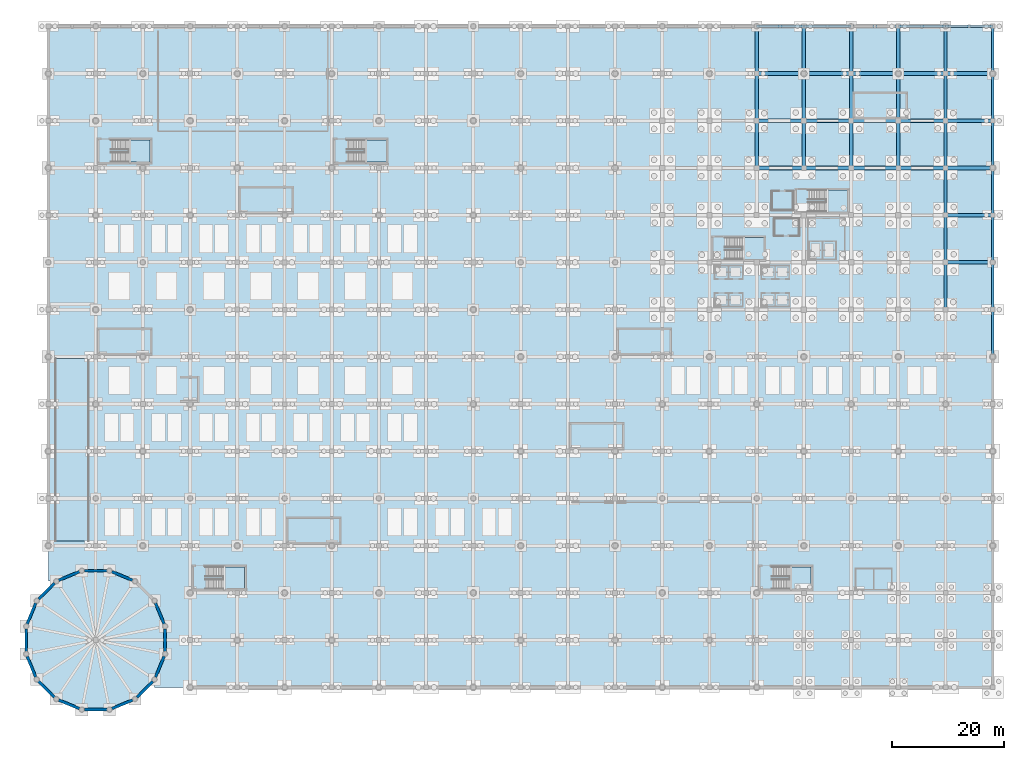
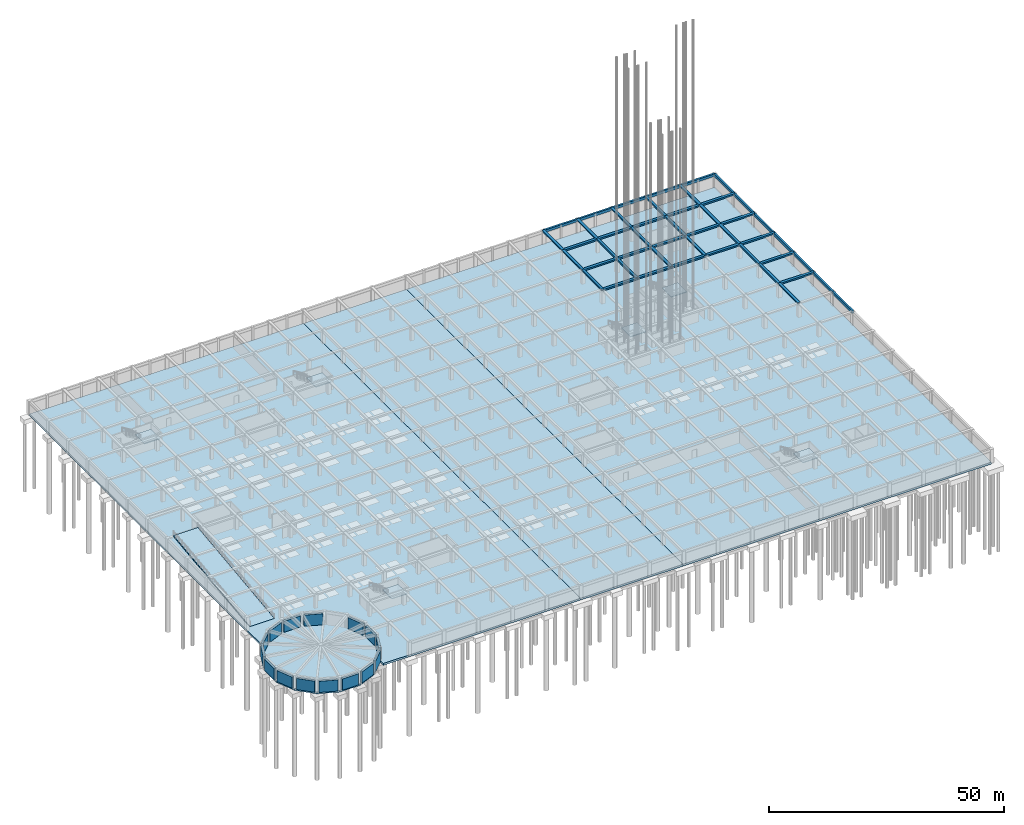
# One storey, part 17 of 47: 47 beams, 15 walls, 10 slabs, 6 elements without a shape of their own.
"""IFC4 building model written with IfcOpenShell, lengths in metres."""

from ifc_helpers import new_model, si_unit, direction, frame, frame_2d, origin, origin_2d, place, context, subcontext, project, spatial, polyline, rectangle, outline, extrude, material, layer, layer_set, material_profile, profile_set, type_object, element, aggregate, save


model = new_model("IFC4")

# Units and contexts
model_context = context("Model", 3, precision=1e-05, world=origin(), true_north=direction((0.0, 1.0)))
body_context = subcontext(model_context, "Body", "Model", "MODEL_VIEW")
ifc_project = project(units=[si_unit("LENGTHUNIT", "METRE"), si_unit("AREAUNIT", "SQUARE_METRE"), si_unit("VOLUMEUNIT", "CUBIC_METRE"), si_unit("PLANEANGLEUNIT", "RADIAN"), si_unit("MASSUNIT", "GRAM", prefix="KILO")], contexts=[model_context])

# Site, building, storey
site_placement = place(None, origin())
site = spatial("IfcSite", under=ifc_project, at=site_placement, CompositionType="ELEMENT")
building_placement = place(site_placement, origin())
building = spatial("IfcBuilding", under=site, at=building_placement, Name="Almacenes y Pasaje Nevantli", CompositionType="ELEMENT")
storey_placement = place(building_placement, frame((0.0, 0.0, -8.10009765625)))
storey = spatial("IfcBuildingStorey", under=building, at=storey_placement, Name="B02", CompositionType="ELEMENT", Elevation=-8.10009765625)

# Beams
ifc_material_1 = material(Name="Concrete C35/45", Category="concrete")
ifc_material_profile_1 = material_profile(ifc_material_1, rectangle(XDim=0.449951171875, YDim=0.64990234375, at=origin_2d()), Name="RC-BM-450x650")
ifc_profile_set_1 = profile_set([ifc_material_profile_1], Name="Concrete C35/45")
beam_type_1 = type_object("IfcBeamType", Name="BM-RC-450x650", PredefinedType="SPANDREL", material=ifc_profile_set_1)
for number, where, z_axis, x_axis, name in (
    (1, (126.0, 117.60009765625, 3.275146484375), (1.0, 0.0, 0.0), (0.0, 1.0, 0.0), "B02 East-West Reinforced Concrete Beam #287"),
    (2, (142.800048828125, 117.60009765625, 3.275146484375), (1.0, 0.0, 0.0), (0.0, 1.0, 0.0), "B02 East-West Reinforced Concrete Beam #289"),
    (3, (159.60009765625, 117.60009765625, 3.275146484375), (1.0, 0.0, 0.0), (0.0, 1.0, 0.0), "B02 East-West Reinforced Concrete Beam #291"),
):
    element("IfcBeam", number, at=place(storey_placement, frame(where, z_axis=z_axis, x_axis=x_axis)), inside=storey, type_object=beam_type_1, Name=name, PredefinedType="SPANDREL", context=body_context, shape_type="SweptSolid", body=[
        extrude(rectangle(XDim=0.449951171875, YDim=0.64990234375, at=origin_2d()), origin(), (0.0, 0.0, 1.0), 8.39990234375),
    ])
ifc_material_2 = material(Name="Concrete C35/45", Category="concrete")
ifc_material_profile_2 = material_profile(ifc_material_2, rectangle(XDim=0.449951171875, YDim=0.699951171875, at=origin_2d()), Name="RC-BM-450x700")
ifc_profile_set_2 = profile_set([ifc_material_profile_2], Name="Concrete C35/45")
beam_type_2 = type_object("IfcBeamType", Name="BM-RC-450x700", PredefinedType="SPANDREL", material=ifc_profile_set_2)
for number, where, z_axis, x_axis, name in (
    (4, (134.39990234375, 117.60009765625, 3.25), (1.0, 0.0, 0.0), (0.0, 1.0, 0.0), "B02 East-West Reinforced Concrete Beam #288"),
    (5, (151.199951171875, 117.60009765625, 3.25), (1.0, 0.0, 0.0), (0.0, 1.0, 0.0), "B02 East-West Reinforced Concrete Beam #290"),
):
    element("IfcBeam", number, at=place(storey_placement, frame(where, z_axis=z_axis, x_axis=x_axis)), inside=storey, type_object=beam_type_2, Name=name, PredefinedType="SPANDREL", context=body_context, shape_type="SweptSolid", body=[
        extrude(rectangle(XDim=0.449951171875, YDim=0.699951171875, at=origin_2d()), origin(), (0.0, 0.0, 1.0), 8.400146484375),
    ])
beam_1_placement = place(storey_placement, frame((168.0, 58.800048828125, 3.25), z_axis=(0.0, 1.0, 0.0), x_axis=(-1.0, 0.0, 0.0)))
element("IfcBeam", 6, at=beam_1_placement, inside=storey, type_object=beam_type_2, Name="B02 North-South Reinforced Concrete Beam #564", PredefinedType="SPANDREL", context=body_context, shape_type="SweptSolid", body=[
    extrude(rectangle(XDim=0.449951171875, YDim=0.699951171875, at=origin_2d()), origin(), (0.0, 0.0, 1.0), 8.39990234375),
])
beam_2_placement = place(storey_placement, frame((168.0, 67.199951171875, 3.25), z_axis=(0.0, 1.0, 0.0), x_axis=(-1.0, 0.0, 0.0)))
element("IfcBeam", 7, at=beam_2_placement, inside=storey, type_object=beam_type_2, Name="B02 North-South Reinforced Concrete Beam #565", PredefinedType="SPANDREL", context=body_context, shape_type="SweptSolid", body=[
    extrude(rectangle(XDim=0.449951171875, YDim=0.699951171875, at=origin_2d()), origin(), (0.0, 0.0, 1.0), 8.400146484375),
])
for number, where, z_axis, x_axis, name in (
    (8, (168.0, 75.60009765625, 3.25), (0.0, 1.0, 0.0), (-1.0, 0.0, 0.0), "B02 North-South Reinforced Concrete Beam #566"),
    (9, (168.0, 84.0, 3.25), (0.0, 1.0, 0.0), (-1.0, 0.0, 0.0), "B02 North-South Reinforced Concrete Beam #567"),
):
    element("IfcBeam", number, at=place(storey_placement, frame(where, z_axis=z_axis, x_axis=x_axis)), inside=storey, type_object=beam_type_2, Name=name, PredefinedType="SPANDREL", context=body_context, shape_type="SweptSolid", body=[
        extrude(rectangle(XDim=0.449951171875, YDim=0.699951171875, at=origin_2d()), origin(), (0.0, 0.0, 1.0), 8.39990234375),
    ])
beam_3_placement = place(storey_placement, frame((168.0, 92.39990234375, 3.25), z_axis=(0.0, 1.0, 0.0), x_axis=(-1.0, 0.0, 0.0)))
element("IfcBeam", 10, at=beam_3_placement, inside=storey, type_object=beam_type_2, Name="B02 North-South Reinforced Concrete Beam #568", PredefinedType="SPANDREL", context=body_context, shape_type="SweptSolid", body=[
    extrude(rectangle(XDim=0.449951171875, YDim=0.699951171875, at=origin_2d()), origin(), (0.0, 0.0, 1.0), 8.400146484375),
])
beam_4_placement = place(storey_placement, frame((168.0, 100.800048828125, 3.25), z_axis=(0.0, 1.0, 0.0), x_axis=(-1.0, 0.0, 0.0)))
element("IfcBeam", 11, at=beam_4_placement, inside=storey, type_object=beam_type_2, Name="B02 North-South Reinforced Concrete Beam #569", PredefinedType="SPANDREL", context=body_context, shape_type="SweptSolid", body=[
    extrude(rectangle(XDim=0.449951171875, YDim=0.699951171875, at=origin_2d()), origin(), (0.0, 0.0, 1.0), 8.39990234375),
])
beam_5_placement = place(storey_placement, frame((168.0, 109.199951171875, 3.25), z_axis=(0.0, 1.0, 0.0), x_axis=(-1.0, 0.0, 0.0)))
element("IfcBeam", 12, at=beam_5_placement, inside=storey, type_object=beam_type_2, Name="B02 North-South Reinforced Concrete Beam #570", PredefinedType="SPANDREL", context=body_context, shape_type="SweptSolid", body=[
    extrude(rectangle(XDim=0.449951171875, YDim=0.699951171875, at=origin_2d()), origin(), (0.0, 0.0, 1.0), 8.400146484375),
])
ifc_material_3 = material(Name="Concrete C35/45", Category="concrete")
ifc_material_profile_3 = material_profile(ifc_material_3, rectangle(XDim=0.60009765625, YDim=0.320068359375, at=origin_2d()), Name="RC-BM-600x320")
ifc_profile_set_3 = profile_set([ifc_material_profile_3], Name="Concrete C35/45")
beam_type_3 = type_object("IfcBeamType", Name="BM-RC-600x320", PredefinedType="BEAM", material=ifc_profile_set_3)
beam_6_placement = place(storey_placement, frame((126.0, 100.800048828125, 3.440185546875), z_axis=(0.0, 1.0, 0.0), x_axis=(-1.0, 0.0, 0.0)))
element("IfcBeam", 13, at=beam_6_placement, inside=storey, type_object=beam_type_3, Name="B02 North-South Reinforced Concrete Beam #501", PredefinedType="BEAM", context=body_context, shape_type="SweptSolid", body=[
    extrude(rectangle(XDim=0.60009765625, YDim=0.320068359375, at=origin_2d()), origin(), (0.0, 0.0, 1.0), 8.39990234375),
])
for number, where, z_axis, x_axis, name in (
    (14, (134.39990234375, 92.39990234375, 3.440185546875), (0.0, 1.0, 0.0), (-1.0, 0.0, 0.0), "B02 North-South Reinforced Concrete Beam #512"),
    (15, (134.39990234375, 109.199951171875, 3.440185546875), (0.0, 1.0, 0.0), (-1.0, 0.0, 0.0), "B02 North-South Reinforced Concrete Beam #514"),
):
    element("IfcBeam", number, at=place(storey_placement, frame(where, z_axis=z_axis, x_axis=x_axis)), inside=storey, type_object=beam_type_3, Name=name, PredefinedType="BEAM", context=body_context, shape_type="SweptSolid", body=[
        extrude(rectangle(XDim=0.60009765625, YDim=0.320068359375, at=origin_2d()), origin(), (0.0, 0.0, 1.0), 8.400146484375),
    ])
beam_7_placement = place(storey_placement, frame((142.800048828125, 100.800048828125, 3.440185546875), z_axis=(0.0, 1.0, 0.0), x_axis=(-1.0, 0.0, 0.0)))
element("IfcBeam", 16, at=beam_7_placement, inside=storey, type_object=beam_type_3, Name="B02 North-South Reinforced Concrete Beam #527", PredefinedType="BEAM", context=body_context, shape_type="SweptSolid", body=[
    extrude(rectangle(XDim=0.60009765625, YDim=0.320068359375, at=origin_2d()), origin(), (0.0, 0.0, 1.0), 8.39990234375),
])
for number, where, z_axis, x_axis, name in (
    (17, (151.199951171875, 92.39990234375, 3.440185546875), (0.0, 1.0, 0.0), (-1.0, 0.0, 0.0), "B02 North-South Reinforced Concrete Beam #540"),
    (18, (151.199951171875, 109.199951171875, 3.440185546875), (0.0, 1.0, 0.0), (-1.0, 0.0, 0.0), "B02 North-South Reinforced Concrete Beam #542"),
    (19, (159.60009765625, 67.199951171875, 3.440185546875), (0.0, 1.0, 0.0), (-1.0, 0.0, 0.0), "B02 North-South Reinforced Concrete Beam #551"),
):
    element("IfcBeam", number, at=place(storey_placement, frame(where, z_axis=z_axis, x_axis=x_axis)), inside=storey, type_object=beam_type_3, Name=name, PredefinedType="BEAM", context=body_context, shape_type="SweptSolid", body=[
        extrude(rectangle(XDim=0.60009765625, YDim=0.320068359375, at=origin_2d()), origin(), (0.0, 0.0, 1.0), 8.400146484375),
    ])
for number, where, z_axis, x_axis, name in (
    (20, (159.60009765625, 84.0, 3.440185546875), (0.0, 1.0, 0.0), (-1.0, 0.0, 0.0), "B02 North-South Reinforced Concrete Beam #553"),
    (21, (159.60009765625, 100.800048828125, 3.440185546875), (0.0, 1.0, 0.0), (-1.0, 0.0, 0.0), "B02 North-South Reinforced Concrete Beam #555"),
):
    element("IfcBeam", number, at=place(storey_placement, frame(where, z_axis=z_axis, x_axis=x_axis)), inside=storey, type_object=beam_type_3, Name=name, PredefinedType="BEAM", context=body_context, shape_type="SweptSolid", body=[
        extrude(rectangle(XDim=0.60009765625, YDim=0.320068359375, at=origin_2d()), origin(), (0.0, 0.0, 1.0), 8.39990234375),
    ])
ifc_material_4 = material(Name="Concrete C35/45", Category="concrete")
ifc_material_profile_4 = material_profile(ifc_material_4, rectangle(XDim=0.60009765625, YDim=0.340087890625, at=origin_2d()), Name="RC-BM-600x340")
ifc_profile_set_4 = profile_set([ifc_material_profile_4], Name="Concrete C35/45")
beam_type_4 = type_object("IfcBeamType", Name="BM-RC-600x340", PredefinedType="BEAM", material=ifc_profile_set_4)
for number, where, z_axis, x_axis, name in (
    (22, (126.0, 92.39990234375, 3.43017578125), (0.0, 1.0, 0.0), (-1.0, 0.0, 0.0), "B02 North-South Reinforced Concrete Beam #500"),
    (23, (126.0, 109.199951171875, 3.43017578125), (0.0, 1.0, 0.0), (-1.0, 0.0, 0.0), "B02 North-South Reinforced Concrete Beam #502"),
):
    element("IfcBeam", number, at=place(storey_placement, frame(where, z_axis=z_axis, x_axis=x_axis)), inside=storey, type_object=beam_type_4, Name=name, PredefinedType="BEAM", context=body_context, shape_type="SweptSolid", body=[
        extrude(rectangle(XDim=0.60009765625, YDim=0.340087890625, at=origin_2d()), origin(), (0.0, 0.0, 1.0), 8.400146484375),
    ])
beam_8_placement = place(storey_placement, frame((134.39990234375, 100.800048828125, 3.43017578125), z_axis=(0.0, 1.0, 0.0), x_axis=(-1.0, 0.0, 0.0)))
element("IfcBeam", 24, at=beam_8_placement, inside=storey, type_object=beam_type_4, Name="B02 North-South Reinforced Concrete Beam #513", PredefinedType="BEAM", context=body_context, shape_type="SweptSolid", body=[
    extrude(rectangle(XDim=0.60009765625, YDim=0.340087890625, at=origin_2d()), origin(), (0.0, 0.0, 1.0), 8.39990234375),
])
for number, where, z_axis, x_axis, name in (
    (25, (142.800048828125, 92.39990234375, 3.43017578125), (0.0, 1.0, 0.0), (-1.0, 0.0, 0.0), "B02 North-South Reinforced Concrete Beam #526"),
    (26, (142.800048828125, 109.199951171875, 3.43017578125), (0.0, 1.0, 0.0), (-1.0, 0.0, 0.0), "B02 North-South Reinforced Concrete Beam #528"),
):
    element("IfcBeam", number, at=place(storey_placement, frame(where, z_axis=z_axis, x_axis=x_axis)), inside=storey, type_object=beam_type_4, Name=name, PredefinedType="BEAM", context=body_context, shape_type="SweptSolid", body=[
        extrude(rectangle(XDim=0.60009765625, YDim=0.340087890625, at=origin_2d()), origin(), (0.0, 0.0, 1.0), 8.400146484375),
    ])
for number, where, z_axis, x_axis, name in (
    (27, (151.199951171875, 100.800048828125, 3.43017578125), (0.0, 1.0, 0.0), (-1.0, 0.0, 0.0), "B02 North-South Reinforced Concrete Beam #541"),
    (28, (159.60009765625, 75.60009765625, 3.43017578125), (0.0, 1.0, 0.0), (-1.0, 0.0, 0.0), "B02 North-South Reinforced Concrete Beam #552"),
):
    element("IfcBeam", number, at=place(storey_placement, frame(where, z_axis=z_axis, x_axis=x_axis)), inside=storey, type_object=beam_type_4, Name=name, PredefinedType="BEAM", context=body_context, shape_type="SweptSolid", body=[
        extrude(rectangle(XDim=0.60009765625, YDim=0.340087890625, at=origin_2d()), origin(), (0.0, 0.0, 1.0), 8.39990234375),
    ])
for number, where, z_axis, x_axis, name in (
    (29, (159.60009765625, 92.39990234375, 3.43017578125), (0.0, 1.0, 0.0), (-1.0, 0.0, 0.0), "B02 North-South Reinforced Concrete Beam #554"),
    (30, (159.60009765625, 109.199951171875, 3.43017578125), (0.0, 1.0, 0.0), (-1.0, 0.0, 0.0), "B02 North-South Reinforced Concrete Beam #556"),
):
    element("IfcBeam", number, at=place(storey_placement, frame(where, z_axis=z_axis, x_axis=x_axis)), inside=storey, type_object=beam_type_4, Name=name, PredefinedType="BEAM", context=body_context, shape_type="SweptSolid", body=[
        extrude(rectangle(XDim=0.60009765625, YDim=0.340087890625, at=origin_2d()), origin(), (0.0, 0.0, 1.0), 8.400146484375),
    ])
ifc_material_5 = material(Name="Concrete C35/45", Category="concrete")
ifc_material_profile_5 = material_profile(ifc_material_5, rectangle(XDim=0.64990234375, YDim=0.35009765625, at=origin_2d()), Name="RC-BM-650x350")
ifc_profile_set_5 = profile_set([ifc_material_profile_5], Name="Concrete C35/45")
beam_type_5 = type_object("IfcBeamType", Name="BM-RC-650x350", PredefinedType="BEAM", material=ifc_profile_set_5)
beam_9_placement = place(storey_placement, frame((159.60009765625, 84.0, 3.425048828125), z_axis=(1.0, 0.0, 0.0), x_axis=(0.0, 1.0, 0.0)))
element("IfcBeam", 31, at=beam_9_placement, inside=storey, type_object=beam_type_5, Name="B02 East-West Reinforced Concrete Beam #211", PredefinedType="BEAM", context=body_context, shape_type="SweptSolid", body=[
    extrude(rectangle(XDim=0.64990234375, YDim=0.35009765625, at=origin_2d()), origin(), (0.0, 0.0, 1.0), 8.39990234375),
])
for number, where, z_axis, x_axis, name in (
    (32, (134.39990234375, 92.39990234375, 3.425048828125), (1.0, 0.0, 0.0), (0.0, 1.0, 0.0), "B02 East-West Reinforced Concrete Beam #228"),
    (33, (151.199951171875, 92.39990234375, 3.425048828125), (1.0, 0.0, 0.0), (0.0, 1.0, 0.0), "B02 East-West Reinforced Concrete Beam #230"),
):
    element("IfcBeam", number, at=place(storey_placement, frame(where, z_axis=z_axis, x_axis=x_axis)), inside=storey, type_object=beam_type_5, Name=name, PredefinedType="BEAM", context=body_context, shape_type="SweptSolid", body=[
        extrude(rectangle(XDim=0.64990234375, YDim=0.35009765625, at=origin_2d()), origin(), (0.0, 0.0, 1.0), 8.400146484375),
    ])
for number, where, z_axis, x_axis, name in (
    (34, (126.0, 100.800048828125, 3.425048828125), (1.0, 0.0, 0.0), (0.0, 1.0, 0.0), "B02 East-West Reinforced Concrete Beam #247"),
    (35, (142.800048828125, 100.800048828125, 3.425048828125), (1.0, 0.0, 0.0), (0.0, 1.0, 0.0), "B02 East-West Reinforced Concrete Beam #249"),
    (36, (159.60009765625, 100.800048828125, 3.425048828125), (1.0, 0.0, 0.0), (0.0, 1.0, 0.0), "B02 East-West Reinforced Concrete Beam #251"),
):
    element("IfcBeam", number, at=place(storey_placement, frame(where, z_axis=z_axis, x_axis=x_axis)), inside=storey, type_object=beam_type_5, Name=name, PredefinedType="BEAM", context=body_context, shape_type="SweptSolid", body=[
        extrude(rectangle(XDim=0.64990234375, YDim=0.35009765625, at=origin_2d()), origin(), (0.0, 0.0, 1.0), 8.39990234375),
    ])
for number, where, z_axis, x_axis, name in (
    (37, (134.39990234375, 109.199951171875, 3.425048828125), (1.0, 0.0, 0.0), (0.0, 1.0, 0.0), "B02 East-West Reinforced Concrete Beam #268"),
    (38, (151.199951171875, 109.199951171875, 3.425048828125), (1.0, 0.0, 0.0), (0.0, 1.0, 0.0), "B02 East-West Reinforced Concrete Beam #270"),
):
    element("IfcBeam", number, at=place(storey_placement, frame(where, z_axis=z_axis, x_axis=x_axis)), inside=storey, type_object=beam_type_5, Name=name, PredefinedType="BEAM", context=body_context, shape_type="SweptSolid", body=[
        extrude(rectangle(XDim=0.64990234375, YDim=0.35009765625, at=origin_2d()), origin(), (0.0, 0.0, 1.0), 8.400146484375),
    ])
ifc_material_6 = material(Name="Concrete C35/45", Category="concrete")
ifc_material_profile_6 = material_profile(ifc_material_6, rectangle(XDim=0.64990234375, YDim=0.3798828125, at=origin_2d()), Name="RC-BM-650x380")
ifc_profile_set_6 = profile_set([ifc_material_profile_6], Name="Concrete C35/45")
beam_type_6 = type_object("IfcBeamType", Name="BM-RC-650x380", PredefinedType="BEAM", material=ifc_profile_set_6)
for number, where, z_axis, x_axis, name in (
    (39, (159.60009765625, 75.60009765625, 3.41015625), (1.0, 0.0, 0.0), (0.0, 1.0, 0.0), "B02 East-West Reinforced Concrete Beam #191"),
    (40, (126.0, 92.39990234375, 3.41015625), (1.0, 0.0, 0.0), (0.0, 1.0, 0.0), "B02 East-West Reinforced Concrete Beam #227"),
    (41, (142.800048828125, 92.39990234375, 3.41015625), (1.0, 0.0, 0.0), (0.0, 1.0, 0.0), "B02 East-West Reinforced Concrete Beam #229"),
    (42, (159.60009765625, 92.39990234375, 3.41015625), (1.0, 0.0, 0.0), (0.0, 1.0, 0.0), "B02 East-West Reinforced Concrete Beam #231"),
):
    element("IfcBeam", number, at=place(storey_placement, frame(where, z_axis=z_axis, x_axis=x_axis)), inside=storey, type_object=beam_type_6, Name=name, PredefinedType="BEAM", context=body_context, shape_type="SweptSolid", body=[
        extrude(rectangle(XDim=0.64990234375, YDim=0.3798828125, at=origin_2d()), origin(), (0.0, 0.0, 1.0), 8.39990234375),
    ])
for number, where, z_axis, x_axis, name in (
    (43, (134.39990234375, 100.800048828125, 3.41015625), (1.0, 0.0, 0.0), (0.0, 1.0, 0.0), "B02 East-West Reinforced Concrete Beam #248"),
    (44, (151.199951171875, 100.800048828125, 3.41015625), (1.0, 0.0, 0.0), (0.0, 1.0, 0.0), "B02 East-West Reinforced Concrete Beam #250"),
):
    element("IfcBeam", number, at=place(storey_placement, frame(where, z_axis=z_axis, x_axis=x_axis)), inside=storey, type_object=beam_type_6, Name=name, PredefinedType="BEAM", context=body_context, shape_type="SweptSolid", body=[
        extrude(rectangle(XDim=0.64990234375, YDim=0.3798828125, at=origin_2d()), origin(), (0.0, 0.0, 1.0), 8.400146484375),
    ])
for number, where, z_axis, x_axis, name in (
    (45, (126.0, 109.199951171875, 3.41015625), (1.0, 0.0, 0.0), (0.0, 1.0, 0.0), "B02 East-West Reinforced Concrete Beam #267"),
    (46, (142.800048828125, 109.199951171875, 3.41015625), (1.0, 0.0, 0.0), (0.0, 1.0, 0.0), "B02 East-West Reinforced Concrete Beam #269"),
    (47, (159.60009765625, 109.199951171875, 3.41015625), (1.0, 0.0, 0.0), (0.0, 1.0, 0.0), "B02 East-West Reinforced Concrete Beam #271"),
):
    element("IfcBeam", number, at=place(storey_placement, frame(where, z_axis=z_axis, x_axis=x_axis)), inside=storey, type_object=beam_type_6, Name=name, PredefinedType="BEAM", context=body_context, shape_type="SweptSolid", body=[
        extrude(rectangle(XDim=0.64990234375, YDim=0.3798828125, at=origin_2d()), origin(), (0.0, 0.0, 1.0), 8.39990234375),
    ])

# Slabs
ifc_material_7 = material(Name="Concrete C35/45", Category="concrete")
ifc_layer_1 = layer(ifc_material_7, 0.5)
ifc_layer_set_1 = layer_set([ifc_layer_1], Name="Concrete C35/45")
slab_type_1 = type_object("IfcSlabType", Name="SLB-BASE-500", PredefinedType="BASESLAB", material=ifc_layer_set_1)
slab_1_placement = place(storey_placement, frame((0.0, 0.0, -0.5)))
element("IfcSlab", 48, at=slab_1_placement, inside=storey, type_object=slab_type_1, Name="B02 West Department Store and Rotunda Floor Slab", PredefinedType="BASESLAB", context=body_context, shape_type="SweptSolid", body=[
    extrude(outline(polyline([(18.87646484375, 0.0), (67.199951171875, 0.0), (67.199951171875, 117.60009765625), (0.0, 117.60009765625), (0.0, 18.87646484375), (1.39990234375, 18.87646484375), (-2.076416015625, 15.400146484375), (-3.9580078125, 10.858154296875), (-3.9580078125, 5.94189453125), (-2.076416015625, 1.39990234375), (1.39990234375, -2.076416015625), (5.94189453125, -3.9580078125), (10.858154296875, -3.9580078125), (15.400146484375, -2.076416015625), (18.87646484375, 1.39990234375), (18.87646484375, 0.0)])), origin(), (0.0, 0.0, 1.0), 0.5),
])
slab_2_placement = place(storey_placement, frame((0.0, 0.0, -0.5)))
element("IfcSlab", 49, at=slab_2_placement, inside=storey, type_object=slab_type_1, Name="B02 Central Arcade Concourse Slab", PredefinedType="BASESLAB", context=body_context, shape_type="SweptSolid", body=[
    extrude(outline(polyline([(67.199951171875, 0.0), (92.39990234375, 0.0), (92.39990234375, 117.60009765625), (67.199951171875, 117.60009765625), (67.199951171875, 0.0)])), origin(), (0.0, 0.0, 1.0), 0.5),
])
slab_3_placement = place(storey_placement, frame((0.0, 0.0, -0.5)))
element("IfcSlab", 50, at=slab_3_placement, inside=storey, type_object=slab_type_1, Name="B02 East Podium Retail and Tower Core Slab", PredefinedType="BASESLAB", context=body_context, shape_type="SweptSolid", body=[
    extrude(outline(polyline([(92.39990234375, 0.0), (168.0, 0.0), (168.0, 117.60009765625), (92.39990234375, 117.60009765625), (92.39990234375, 0.0)])), origin(), (0.0, 0.0, 1.0), 0.5),
])

# Stair, slab
ifc_material_8 = material(Name="Concrete C35/45", Category="concrete")
stair_type_1 = type_object("IfcStairType", Name="STR-CORE-1720", PredefinedType="HALF_TURN_STAIR", material=ifc_material_8)
stair_1_placement = place(storey_placement, origin())
stair_1 = element("IfcStair", 51, at=stair_1_placement, inside=storey, type_object=stair_type_1, Name="B02 Staircase ST-01", PredefinedType="HALF_TURN_STAIR")
ifc_material_9 = material(Name="Concrete C35/45", Category="concrete")
ifc_layer_2 = layer(ifc_material_9, 0.199951171875)
ifc_layer_set_2 = layer_set([ifc_layer_2], Name="Concrete C35/45")
slab_type_2 = type_object("IfcSlabType", Name="SLB-LAND-200", PredefinedType="LANDING", material=ifc_layer_set_2)
slab_4_placement = place(storey_placement, frame((0.0, 0.0, 1.75)))
slab_4 = element("IfcSlab", 52, at=slab_4_placement, type_object=slab_type_2, Name="ST-01-B02 landing 1", PredefinedType="LANDING", context=body_context, shape_type="SweptSolid", body=[
    extrude(outline(polyline([(123.47509765625, 76.14990234375), (127.300048828125, 76.14990234375), (127.300048828125, 80.0400390625), (123.47509765625, 80.0400390625), (123.47509765625, 76.14990234375)])), origin(), (0.0, 0.0, 1.0), 0.2001953125),
])
aggregate(stair_1, [slab_4])

stair_2_placement = place(storey_placement, origin())
stair_2 = element("IfcStair", 53, at=stair_2_placement, inside=storey, type_object=stair_type_1, Name="B02 Staircase ST-02", PredefinedType="HALF_TURN_STAIR")
slab_5_placement = place(storey_placement, frame((0.0, 0.0, 1.75)))
slab_5 = element("IfcSlab", 54, at=slab_5_placement, type_object=slab_type_2, Name="ST-02-B02 landing 1", PredefinedType="LANDING", context=body_context, shape_type="SweptSolid", body=[
    extrude(outline(polyline([(138.324951171875, 84.60009765625), (142.14990234375, 84.60009765625), (142.14990234375, 88.489990234375), (138.324951171875, 88.489990234375), (138.324951171875, 84.60009765625)])), origin(), (0.0, 0.0, 1.0), 0.2001953125),
])
aggregate(stair_2, [slab_5])

ifc_material_10 = material(Name="Concrete C35/45", Category="concrete")
stair_type_2 = type_object("IfcStairType", Name="STR-CORE-1750", PredefinedType="HALF_TURN_STAIR", material=ifc_material_10)
stair_3_placement = place(storey_placement, origin())
stair_3 = element("IfcStair", 55, at=stair_3_placement, inside=storey, type_object=stair_type_2, Name="B02 Staircase ST-03", PredefinedType="HALF_TURN_STAIR")
slab_6_placement = place(storey_placement, frame((0.0, 0.0, 1.75)))
slab_6 = element("IfcSlab", 56, at=slab_6_placement, type_object=slab_type_2, Name="ST-03-B02 landing 1", PredefinedType="LANDING", context=body_context, shape_type="SweptSolid", body=[
    extrude(outline(polyline([(14.27490234375, 93.449951171875), (18.10009765625, 93.449951171875), (18.10009765625, 97.39990234375), (14.27490234375, 97.39990234375), (14.27490234375, 93.449951171875)])), origin(), (0.0, 0.0, 1.0), 0.2001953125),
])
aggregate(stair_3, [slab_6])

stair_4_placement = place(storey_placement, origin())
stair_4 = element("IfcStair", 57, at=stair_4_placement, inside=storey, type_object=stair_type_2, Name="B02 Staircase ST-04", PredefinedType="HALF_TURN_STAIR")
slab_7_placement = place(storey_placement, frame((0.0, 0.0, 1.75)))
slab_7 = element("IfcSlab", 58, at=slab_7_placement, type_object=slab_type_2, Name="ST-04-B02 landing 1", PredefinedType="LANDING", context=body_context, shape_type="SweptSolid", body=[
    extrude(outline(polyline([(31.074951171875, 17.5), (34.89990234375, 17.5), (34.89990234375, 21.449951171875), (31.074951171875, 21.449951171875), (31.074951171875, 17.5)])), origin(), (0.0, 0.0, 1.0), 0.2001953125),
])
aggregate(stair_4, [slab_7])

stair_5_placement = place(storey_placement, origin())
stair_5 = element("IfcStair", 59, at=stair_5_placement, inside=storey, type_object=stair_type_2, Name="B02 Staircase ST-05", PredefinedType="HALF_TURN_STAIR")
slab_8_placement = place(storey_placement, frame((0.0, 0.0, 1.75)))
slab_8 = element("IfcSlab", 60, at=slab_8_placement, type_object=slab_type_2, Name="ST-05-B02 landing 1", PredefinedType="LANDING", context=body_context, shape_type="SweptSolid", body=[
    extrude(outline(polyline([(56.27490234375, 93.449951171875), (60.10009765625, 93.449951171875), (60.10009765625, 97.39990234375), (56.27490234375, 97.39990234375), (56.27490234375, 93.449951171875)])), origin(), (0.0, 0.0, 1.0), 0.2001953125),
])
aggregate(stair_5, [slab_8])

stair_6_placement = place(storey_placement, origin())
stair_6 = element("IfcStair", 61, at=stair_6_placement, inside=storey, type_object=stair_type_2, Name="B02 Staircase ST-06", PredefinedType="HALF_TURN_STAIR")
slab_9_placement = place(storey_placement, frame((0.0, 0.0, 1.75)))
slab_9 = element("IfcSlab", 62, at=slab_9_placement, type_object=slab_type_2, Name="ST-06-B02 landing 1", PredefinedType="LANDING", context=body_context, shape_type="SweptSolid", body=[
    extrude(outline(polyline([(131.875, 17.5), (135.699951171875, 17.5), (135.699951171875, 21.449951171875), (131.875, 21.449951171875), (131.875, 17.5)])), origin(), (0.0, 0.0, 1.0), 0.2001953125),
])
aggregate(stair_6, [slab_9])

# Slab
ifc_material_11 = material(Name="Concrete C35/45", Category="concrete")
ifc_layer_3 = layer(ifc_material_11, 0.300048828125)
ifc_layer_set_3 = layer_set([ifc_layer_3], Name="Concrete C35/45")
slab_type_3 = type_object("IfcSlabType", Name="SLB-RAMP-300", PredefinedType="FLOOR", material=ifc_layer_set_3)
slab_10_placement = place(storey_placement, frame((1.199951171875, 26.0, 0.0), z_axis=(0.0, -0.119149632194, 0.992876309088), x_axis=(1.0, 0.0, 0.0)))
element("IfcSlab", 63, at=slab_10_placement, inside=storey, type_object=slab_type_3, Name="B02 Vehicular Parking Ramp Structural Slab RP-01", PredefinedType="FLOOR", context=body_context, shape_type="SweptSolid", body=[
    extrude(outline(polyline([(0.0, 0.0), (6.0, 0.0), (6.0, 32.733181064473136), (0.0, 32.733181064473136), (0.0, 0.0)])), origin(), (0.0, 0.0, -1.0), 0.300048828125),
])

# Walls
ifc_material_12 = material(Name="Concrete C45/55", Category="concrete")
ifc_layer_4 = layer(ifc_material_12, 0.5)
ifc_layer_set_4 = layer_set([ifc_layer_4], Name="Concrete C45/55")
wall_type = type_object("IfcWallType", Name="WL-RET-500", PredefinedType="SHEAR", material=ifc_layer_set_4)
for number, where, z_axis, x_axis, name in (
    (64, (20.585693359375, 11.27392578125, 0.0), (0.0, 0.0, 1.0), (-0.382672135366, 0.923884211801, 0.0), "B02 Rotunda Basement Retaining Shear Wall #1"),
    (65, (14.984375, 19.048828125, 0.0), (0.0, 0.0, 1.0), (-0.923884211801, 0.382672135366, 0.0), "B02 Rotunda Basement Retaining Shear Wall #3"),
):
    element("IfcWall", number, at=place(storey_placement, frame(where, z_axis=z_axis, x_axis=x_axis)), inside=storey, type_object=wall_type, Name=name, PredefinedType="SHEAR", context=body_context, shape_type="SweptSolid", body=[
        extrude(rectangle(XDim=4.01611328125, YDim=0.5, at=frame_2d((2.008056640625, 0.0))), origin(), (0.0, 0.0, 1.0), 2.880126953125),
    ])
wall_1_placement = place(storey_placement, frame((10.408203125, 20.7578125, 0.0), z_axis=(0.0, 0.0, 1.0), x_axis=(-1.0, 0.0, 0.0)))
element("IfcWall", 66, at=wall_1_placement, inside=storey, type_object=wall_type, Name="B02 Rotunda Basement Retaining Shear Wall #4", PredefinedType="SHEAR", context=body_context, shape_type="SweptSolid", body=[
    extrude(rectangle(XDim=4.016357421875, YDim=0.5, at=frame_2d((2.00830078125, 0.0))), origin(), (0.0, 0.0, 1.0), 2.880126953125),
])
wall_2_placement = place(storey_placement, frame((5.526123046875, 20.585693359375, 0.0), z_axis=(0.0, 0.0, 1.0), x_axis=(-0.923884211801, -0.382672135366, 0.0)))
element("IfcWall", 67, at=wall_2_placement, inside=storey, type_object=wall_type, Name="B02 Rotunda Basement Retaining Shear Wall #5", PredefinedType="SHEAR", context=body_context, shape_type="SweptSolid", body=[
    extrude(rectangle(XDim=4.01611328125, YDim=0.5, at=frame_2d((2.008056640625, 0.0))), origin(), (0.0, 0.0, 1.0), 2.880126953125),
])
wall_3_placement = place(storey_placement, frame((1.08154296875, 18.558349609375, 0.0), z_axis=(0.0, 0.0, 1.0), x_axis=(-0.707076386947, -0.707137174119, 0.0)))
element("IfcWall", 68, at=wall_3_placement, inside=storey, type_object=wall_type, Name="B02 Rotunda Basement Retaining Shear Wall #6", PredefinedType="SHEAR", context=body_context, shape_type="SweptSolid", body=[
    extrude(rectangle(XDim=4.016357421875, YDim=0.5, at=frame_2d((2.00830078125, 0.0))), origin(), (0.0, 0.0, 1.0), 2.880126953125),
])
wall_4_placement = place(storey_placement, frame((-2.248779296875, 14.984375, 0.0), z_axis=(0.0, 0.0, 1.0), x_axis=(-0.382672135366, -0.923884211801, 0.0)))
element("IfcWall", 69, at=wall_4_placement, inside=storey, type_object=wall_type, Name="B02 Rotunda Basement Retaining Shear Wall #7", PredefinedType="SHEAR", context=body_context, shape_type="SweptSolid", body=[
    extrude(rectangle(XDim=4.01611328125, YDim=0.5, at=frame_2d((2.008056640625, 0.0))), origin(), (0.0, 0.0, 1.0), 2.880126953125),
])
wall_5_placement = place(storey_placement, frame((-3.9580078125, 10.408203125, 0.0), z_axis=(0.0, 0.0, 1.0), x_axis=(0.0, -1.0, 0.0)))
element("IfcWall", 70, at=wall_5_placement, inside=storey, type_object=wall_type, Name="B02 Rotunda Basement Retaining Shear Wall #8", PredefinedType="SHEAR", context=body_context, shape_type="SweptSolid", body=[
    extrude(rectangle(XDim=4.016357421875, YDim=0.5, at=frame_2d((2.00830078125, 0.0))), origin(), (0.0, 0.0, 1.0), 2.880126953125),
])
for number, where, z_axis, x_axis, name in (
    (71, (-3.78564453125, 5.526123046875, 0.0), (0.0, 0.0, 1.0), (0.382672135366, -0.923884211801, 0.0), "B02 Rotunda Basement Retaining Shear Wall #9"),
    (72, (-1.75830078125, 1.08154296875, 0.0), (0.0, 0.0, 1.0), (0.707106781187, -0.707106781187, 0.0), "B02 Rotunda Basement Retaining Shear Wall #10"),
    (73, (1.815673828125, -2.248779296875, 0.0), (0.0, 0.0, 1.0), (0.923884211801, -0.382672135366, 0.0), "B02 Rotunda Basement Retaining Shear Wall #11"),
):
    element("IfcWall", number, at=place(storey_placement, frame(where, z_axis=z_axis, x_axis=x_axis)), inside=storey, type_object=wall_type, Name=name, PredefinedType="SHEAR", context=body_context, shape_type="SweptSolid", body=[
        extrude(rectangle(XDim=4.01611328125, YDim=0.5, at=frame_2d((2.008056640625, 0.0))), origin(), (0.0, 0.0, 1.0), 2.880126953125),
    ])
wall_6_placement = place(storey_placement, frame((6.391845703125, -3.9580078125, 0.0), z_axis=(0.0, 0.0, 1.0), x_axis=(1.0, 0.0, 0.0)))
element("IfcWall", 74, at=wall_6_placement, inside=storey, type_object=wall_type, Name="B02 Rotunda Basement Retaining Shear Wall #12", PredefinedType="SHEAR", context=body_context, shape_type="SweptSolid", body=[
    extrude(rectangle(XDim=4.016357421875, YDim=0.5, at=frame_2d((2.00830078125, 0.0))), origin(), (0.0, 0.0, 1.0), 2.880126953125),
])
wall_7_placement = place(storey_placement, frame((11.27392578125, -3.78564453125, 0.0), z_axis=(0.0, 0.0, 1.0), x_axis=(0.923884211801, 0.382672135366, 0.0)))
element("IfcWall", 75, at=wall_7_placement, inside=storey, type_object=wall_type, Name="B02 Rotunda Basement Retaining Shear Wall #13", PredefinedType="SHEAR", context=body_context, shape_type="SweptSolid", body=[
    extrude(rectangle(XDim=4.01611328125, YDim=0.5, at=frame_2d((2.008056640625, 0.0))), origin(), (0.0, 0.0, 1.0), 2.880126953125),
])
wall_8_placement = place(storey_placement, frame((15.71826171875, -1.75830078125, 0.0), z_axis=(0.0, 0.0, 1.0), x_axis=(0.707137174119, 0.707076386947, 0.0)))
element("IfcWall", 76, at=wall_8_placement, inside=storey, type_object=wall_type, Name="B02 Rotunda Basement Retaining Shear Wall #14", PredefinedType="SHEAR", context=body_context, shape_type="SweptSolid", body=[
    extrude(rectangle(XDim=4.016357421875, YDim=0.5, at=frame_2d((2.00830078125, 0.0))), origin(), (0.0, 0.0, 1.0), 2.880126953125),
])
wall_9_placement = place(storey_placement, frame((19.048828125, 1.815673828125, 0.0), z_axis=(0.0, 0.0, 1.0), x_axis=(0.382672135366, 0.923884211801, 0.0)))
element("IfcWall", 77, at=wall_9_placement, inside=storey, type_object=wall_type, Name="B02 Rotunda Basement Retaining Shear Wall #15", PredefinedType="SHEAR", context=body_context, shape_type="SweptSolid", body=[
    extrude(rectangle(XDim=4.01611328125, YDim=0.5, at=frame_2d((2.008056640625, 0.0))), origin(), (0.0, 0.0, 1.0), 2.880126953125),
])
wall_10_placement = place(storey_placement, frame((20.7578125, 6.391845703125, 0.0), z_axis=(0.0, 0.0, 1.0), x_axis=(0.0, 1.0, 0.0)))
element("IfcWall", 78, at=wall_10_placement, inside=storey, type_object=wall_type, Name="B02 Rotunda Basement Retaining Shear Wall #16", PredefinedType="SHEAR", context=body_context, shape_type="SweptSolid", body=[
    extrude(rectangle(XDim=4.016357421875, YDim=0.5, at=frame_2d((2.00830078125, 0.0))), origin(), (0.0, 0.0, 1.0), 2.880126953125),
])

save(model, "model.ifc")
